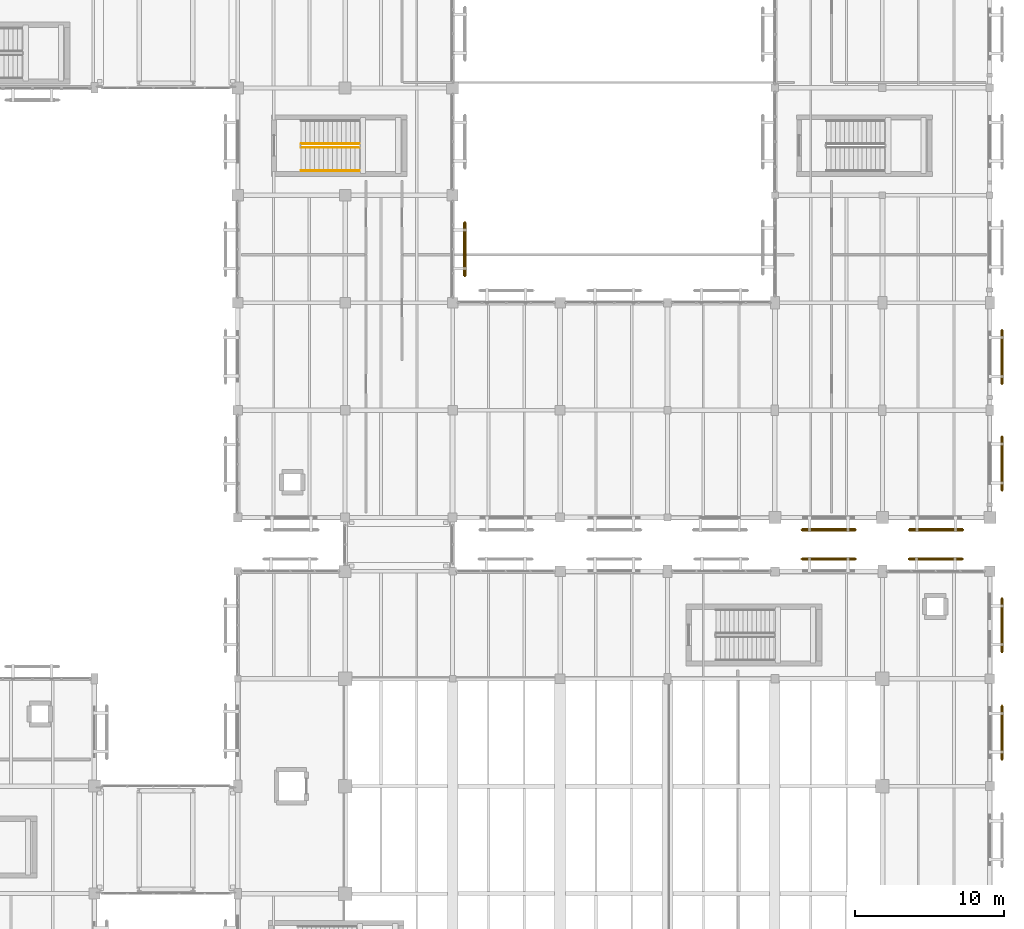
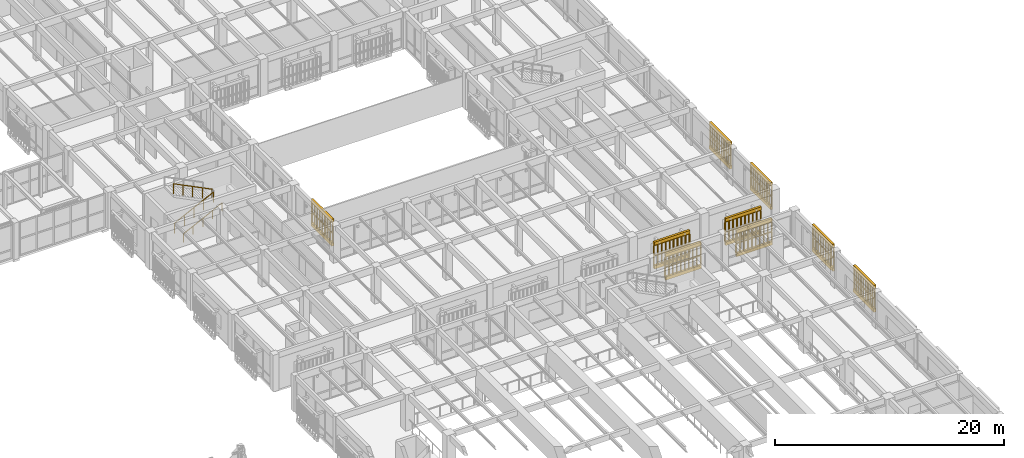
# One storey, part 166 of 170: 21 railings, 18 coverings.
"""IFC4 building model written with IfcOpenShell, lengths in metres."""

from ifc_helpers import new_model, si_unit, direction, frame, origin, origin_2d, place, context, subcontext, project, spatial, polyline, circle, outline, extrude, material, layer, layer_set, type_object, element, save


model = new_model("IFC4")

# Units and contexts
model_context = context("Model", 3, precision=1e-05, world=origin(), true_north=direction((0.0, 1.0)))
body_context = subcontext(model_context, "Body", "Model", "MODEL_VIEW")
ifc_project = project(units=[si_unit("LENGTHUNIT", "METRE"), si_unit("AREAUNIT", "SQUARE_METRE"), si_unit("VOLUMEUNIT", "CUBIC_METRE"), si_unit("PLANEANGLEUNIT", "RADIAN"), si_unit("MASSUNIT", "GRAM", prefix="KILO")], contexts=[model_context])

# Site, building, storey
site_placement = place(None, origin())
site = spatial("IfcSite", under=ifc_project, at=site_placement, CompositionType="ELEMENT")
building_placement = place(site_placement, origin())
building = spatial("IfcBuilding", under=site, at=building_placement, Name="Mazaris Harbour Polytechnic", CompositionType="ELEMENT")
storey_placement = place(building_placement, frame((0.0, 0.0, 5.39990234375)))
storey = spatial("IfcBuildingStorey", under=building, at=storey_placement, Name="L01", CompositionType="ELEMENT", Elevation=5.39990234375)

# Railings
ifc_material_1 = material(Name="Perforated Earth-Coloured Terracotta Block", Category="masonry")
railing_type_1 = type_object("IfcRailingType", Name="Perforated Earth-Block Claustra Lattice 1040", PredefinedType="BALUSTRADE", material=ifc_material_1)
for number, where, name in (
    (1, (160.199951171875, 44.02001953125, 0.52001953125), "V2 L01 Lower Perforated Terracotta Block Screen 56"),
    (2, (160.199951171875, 44.02001953125, 1.585205078125), "V2 L01 Upper Perforated Terracotta Block Screen 56"),
    (3, (167.375, 44.02001953125, 0.52001953125), "V2 L01 Lower Perforated Terracotta Block Screen 57"),
    (4, (167.375, 44.02001953125, 1.585205078125), "V2 L01 Upper Perforated Terracotta Block Screen 57"),
):
    element("IfcRailing", number, at=place(storey_placement, frame(where)), inside=storey, type_object=railing_type_1, Name=name, PredefinedType="BALUSTRADE", context=body_context, shape_type="SweptSolid", body=[
        extrude(circle(Radius=0.06982421875, at=origin_2d()), frame((0.0, 0.0, 0.9951171875), z_axis=(1.0, 0.0, 0.0), x_axis=(0.0, 1.0, 0.0)), (0.0, 0.0, 1.0), 3.60009765625),
        extrude(circle(Radius=0.074951171875, at=origin_2d()), origin(), (0.0, 0.0, 1.0), 0.925048828125),
        extrude(circle(Radius=0.074951171875, at=origin_2d()), frame((0.39990234375, 0.0, 0.0)), (0.0, 0.0, 1.0), 0.925048828125),
        extrude(circle(Radius=0.074951171875, at=origin_2d()), frame((0.800048828125, 0.0, 0.0)), (0.0, 0.0, 1.0), 0.925048828125),
        extrude(circle(Radius=0.074951171875, at=origin_2d()), frame((1.199951171875, 0.0, 0.0)), (0.0, 0.0, 1.0), 0.925048828125),
        extrude(circle(Radius=0.074951171875, at=origin_2d()), frame((1.60009765625, 0.0, 0.0)), (0.0, 0.0, 1.0), 0.925048828125),
        extrude(circle(Radius=0.074951171875, at=origin_2d()), frame((2.0, 0.0, 0.0)), (0.0, 0.0, 1.0), 0.925048828125),
        extrude(circle(Radius=0.074951171875, at=origin_2d()), frame((2.400146484375, 0.0, 0.0)), (0.0, 0.0, 1.0), 0.925048828125),
        extrude(circle(Radius=0.074951171875, at=origin_2d()), frame((2.800048828125, 0.0, 0.0)), (0.0, 0.0, 1.0), 0.925048828125),
        extrude(circle(Radius=0.074951171875, at=origin_2d()), frame((3.2001953125, 0.0, 0.0)), (0.0, 0.0, 1.0), 0.925048828125),
        extrude(circle(Radius=0.074951171875, at=origin_2d()), frame((3.60009765625, 0.0, 0.0)), (0.0, 0.0, 1.0), 0.925048828125),
    ])
for number, where, name in (
    (5, (173.6201171875, 34.1875, 0.52001953125), "V2 L01 Lower Perforated Terracotta Block Screen 65"),
    (6, (173.6201171875, 34.1875, 1.610107421875), "V2 L01 Upper Perforated Terracotta Block Screen 65"),
):
    element("IfcRailing", number, at=place(storey_placement, frame(where)), inside=storey, type_object=railing_type_1, Name=name, PredefinedType="BALUSTRADE", context=body_context, shape_type="SweptSolid", body=[
        extrude(circle(Radius=0.06982421875, at=origin_2d()), frame((0.0, 0.0, 1.02001953125), z_axis=(0.0, -1.0, 0.0), x_axis=(1.0, 0.0, 0.0)), (0.0, 0.0, 1.0), 3.60009765625),
        extrude(circle(Radius=0.074951171875, at=origin_2d()), origin(), (0.0, 0.0, 1.0), 0.9501953125),
        extrude(circle(Radius=0.074951171875, at=origin_2d()), frame((0.0, -0.39990234375, 0.0)), (0.0, 0.0, 1.0), 0.9501953125),
        extrude(circle(Radius=0.074951171875, at=origin_2d()), frame((0.0, -0.800048828125, 0.0)), (0.0, 0.0, 1.0), 0.9501953125),
        extrude(circle(Radius=0.074951171875, at=origin_2d()), frame((0.0, -1.199951171875, 0.0)), (0.0, 0.0, 1.0), 0.9501953125),
        extrude(circle(Radius=0.074951171875, at=origin_2d()), frame((0.0, -1.60009765625, 0.0)), (0.0, 0.0, 1.0), 0.9501953125),
        extrude(circle(Radius=0.074951171875, at=origin_2d()), frame((0.0, -2.0, 0.0)), (0.0, 0.0, 1.0), 0.9501953125),
        extrude(circle(Radius=0.074951171875, at=origin_2d()), frame((0.0, -2.400146484375, 0.0)), (0.0, 0.0, 1.0), 0.9501953125),
        extrude(circle(Radius=0.074951171875, at=origin_2d()), frame((0.0, -2.800048828125, 0.0)), (0.0, 0.0, 1.0), 0.9501953125),
        extrude(circle(Radius=0.074951171875, at=origin_2d()), frame((0.0, -3.2001953125, 0.0)), (0.0, 0.0, 1.0), 0.9501953125),
        extrude(circle(Radius=0.074951171875, at=origin_2d()), frame((0.0, -3.60009765625, 0.0)), (0.0, 0.0, 1.0), 0.9501953125),
    ])
for number, where, name in (
    (7, (173.6201171875, 41.387451171875, 0.52001953125), "V2 L01 Lower Perforated Terracotta Block Screen 66"),
    (8, (173.6201171875, 41.387451171875, 1.610107421875), "V2 L01 Upper Perforated Terracotta Block Screen 66"),
):
    element("IfcRailing", number, at=place(storey_placement, frame(where)), inside=storey, type_object=railing_type_1, Name=name, PredefinedType="BALUSTRADE", context=body_context, shape_type="SweptSolid", body=[
        extrude(circle(Radius=0.06982421875, at=origin_2d()), frame((0.0, 0.0, 1.02001953125), z_axis=(0.0, -1.0, 0.0), x_axis=(1.0, 0.0, 0.0)), (0.0, 0.0, 1.0), 3.599853515625),
        extrude(circle(Radius=0.074951171875, at=origin_2d()), origin(), (0.0, 0.0, 1.0), 0.9501953125),
        extrude(circle(Radius=0.074951171875, at=origin_2d()), frame((0.0, -0.449951171875, 0.0)), (0.0, 0.0, 1.0), 0.9501953125),
        extrude(circle(Radius=0.074951171875, at=origin_2d()), frame((0.0, -0.89990234375, 0.0)), (0.0, 0.0, 1.0), 0.9501953125),
        extrude(circle(Radius=0.074951171875, at=origin_2d()), frame((0.0, -1.349853515625, 0.0)), (0.0, 0.0, 1.0), 0.9501953125),
        extrude(circle(Radius=0.074951171875, at=origin_2d()), frame((0.0, -1.7998046875, 0.0)), (0.0, 0.0, 1.0), 0.9501953125),
        extrude(circle(Radius=0.074951171875, at=origin_2d()), frame((0.0, -2.25, 0.0)), (0.0, 0.0, 1.0), 0.9501953125),
        extrude(circle(Radius=0.074951171875, at=origin_2d()), frame((0.0, -2.699951171875, 0.0)), (0.0, 0.0, 1.0), 0.9501953125),
        extrude(circle(Radius=0.074951171875, at=origin_2d()), frame((0.0, -3.14990234375, 0.0)), (0.0, 0.0, 1.0), 0.9501953125),
        extrude(circle(Radius=0.074951171875, at=origin_2d()), frame((0.0, -3.599853515625, 0.0)), (0.0, 0.0, 1.0), 0.9501953125),
    ])
for number, where, name in (
    (9, (163.800048828125, 45.97998046875, 0.52001953125), "V5 L01 Lower Perforated Terracotta Block Screen 370"),
    (10, (163.800048828125, 45.97998046875, 1.610107421875), "V5 L01 Upper Perforated Terracotta Block Screen 370"),
    (11, (171.0, 45.97998046875, 0.52001953125), "V5 L01 Lower Perforated Terracotta Block Screen 371"),
    (12, (171.0, 45.97998046875, 1.610107421875), "V5 L01 Upper Perforated Terracotta Block Screen 371"),
):
    element("IfcRailing", number, at=place(storey_placement, frame(where)), inside=storey, type_object=railing_type_1, Name=name, PredefinedType="BALUSTRADE", context=body_context, shape_type="SweptSolid", body=[
        extrude(circle(Radius=0.06982421875, at=origin_2d()), frame((0.0, 0.0, 1.02001953125), z_axis=(-1.0, 0.0, 0.0), x_axis=(0.0, -1.0, 0.0)), (0.0, 0.0, 1.0), 3.60009765625),
        extrude(circle(Radius=0.074951171875, at=origin_2d()), origin(), (0.0, 0.0, 1.0), 0.9501953125),
        extrude(circle(Radius=0.074951171875, at=origin_2d()), frame((-0.39990234375, 0.0, 0.0)), (0.0, 0.0, 1.0), 0.9501953125),
        extrude(circle(Radius=0.074951171875, at=origin_2d()), frame((-0.800048828125, 0.0, 0.0)), (0.0, 0.0, 1.0), 0.9501953125),
        extrude(circle(Radius=0.074951171875, at=origin_2d()), frame((-1.199951171875, 0.0, 0.0)), (0.0, 0.0, 1.0), 0.9501953125),
        extrude(circle(Radius=0.074951171875, at=origin_2d()), frame((-1.60009765625, 0.0, 0.0)), (0.0, 0.0, 1.0), 0.9501953125),
        extrude(circle(Radius=0.074951171875, at=origin_2d()), frame((-2.0, 0.0, 0.0)), (0.0, 0.0, 1.0), 0.9501953125),
        extrude(circle(Radius=0.074951171875, at=origin_2d()), frame((-2.400146484375, 0.0, 0.0)), (0.0, 0.0, 1.0), 0.9501953125),
        extrude(circle(Radius=0.074951171875, at=origin_2d()), frame((-2.800048828125, 0.0, 0.0)), (0.0, 0.0, 1.0), 0.9501953125),
        extrude(circle(Radius=0.074951171875, at=origin_2d()), frame((-3.2001953125, 0.0, 0.0)), (0.0, 0.0, 1.0), 0.9501953125),
        extrude(circle(Radius=0.074951171875, at=origin_2d()), frame((-3.60009765625, 0.0, 0.0)), (0.0, 0.0, 1.0), 0.9501953125),
    ])
for number, where, name in (
    (13, (173.6201171875, 52.22509765625, 0.52001953125), "V5 L01 Lower Perforated Terracotta Block Screen 386"),
    (14, (173.6201171875, 52.22509765625, 1.610107421875), "V5 L01 Upper Perforated Terracotta Block Screen 386"),
    (15, (173.6201171875, 59.362548828125, 0.52001953125), "V5 L01 Lower Perforated Terracotta Block Screen 387"),
    (16, (173.6201171875, 59.362548828125, 1.610107421875), "V5 L01 Upper Perforated Terracotta Block Screen 387"),
):
    element("IfcRailing", number, at=place(storey_placement, frame(where)), inside=storey, type_object=railing_type_1, Name=name, PredefinedType="BALUSTRADE", context=body_context, shape_type="SweptSolid", body=[
        extrude(circle(Radius=0.06982421875, at=origin_2d()), frame((0.0, 0.0, 1.02001953125), z_axis=(0.0, -1.0, 0.0), x_axis=(1.0, 0.0, 0.0)), (0.0, 0.0, 1.0), 3.60009765625),
        extrude(circle(Radius=0.074951171875, at=origin_2d()), origin(), (0.0, 0.0, 1.0), 0.9501953125),
        extrude(circle(Radius=0.074951171875, at=origin_2d()), frame((0.0, -0.39990234375, 0.0)), (0.0, 0.0, 1.0), 0.9501953125),
        extrude(circle(Radius=0.074951171875, at=origin_2d()), frame((0.0, -0.800048828125, 0.0)), (0.0, 0.0, 1.0), 0.9501953125),
        extrude(circle(Radius=0.074951171875, at=origin_2d()), frame((0.0, -1.199951171875, 0.0)), (0.0, 0.0, 1.0), 0.9501953125),
        extrude(circle(Radius=0.074951171875, at=origin_2d()), frame((0.0, -1.60009765625, 0.0)), (0.0, 0.0, 1.0), 0.9501953125),
        extrude(circle(Radius=0.074951171875, at=origin_2d()), frame((0.0, -2.0, 0.0)), (0.0, 0.0, 1.0), 0.9501953125),
        extrude(circle(Radius=0.074951171875, at=origin_2d()), frame((0.0, -2.400146484375, 0.0)), (0.0, 0.0, 1.0), 0.9501953125),
        extrude(circle(Radius=0.074951171875, at=origin_2d()), frame((0.0, -2.800048828125, 0.0)), (0.0, 0.0, 1.0), 0.9501953125),
        extrude(circle(Radius=0.074951171875, at=origin_2d()), frame((0.0, -3.2001953125, 0.0)), (0.0, 0.0, 1.0), 0.9501953125),
        extrude(circle(Radius=0.074951171875, at=origin_2d()), frame((0.0, -3.60009765625, 0.0)), (0.0, 0.0, 1.0), 0.9501953125),
    ])
for number, where, name in (
    (17, (137.6201171875, 62.987548828125, 0.52001953125), "V5 L01 Lower Perforated Terracotta Block Screen 400"),
    (18, (137.6201171875, 62.987548828125, 1.610107421875), "V5 L01 Upper Perforated Terracotta Block Screen 400"),
):
    element("IfcRailing", number, at=place(storey_placement, frame(where)), inside=storey, type_object=railing_type_1, Name=name, PredefinedType="BALUSTRADE", context=body_context, shape_type="SweptSolid", body=[
        extrude(circle(Radius=0.06982421875, at=origin_2d()), frame((0.0, 0.0, 1.02001953125), z_axis=(0.0, 1.0, 0.0), x_axis=(-1.0, 0.0, 0.0)), (0.0, 0.0, 1.0), 3.599853515625),
        extrude(circle(Radius=0.074951171875, at=origin_2d()), origin(), (0.0, 0.0, 1.0), 0.9501953125),
        extrude(circle(Radius=0.074951171875, at=origin_2d()), frame((0.0, 0.449951171875, 0.0)), (0.0, 0.0, 1.0), 0.9501953125),
        extrude(circle(Radius=0.074951171875, at=origin_2d()), frame((0.0, 0.89990234375, 0.0)), (0.0, 0.0, 1.0), 0.9501953125),
        extrude(circle(Radius=0.074951171875, at=origin_2d()), frame((0.0, 1.349853515625, 0.0)), (0.0, 0.0, 1.0), 0.9501953125),
        extrude(circle(Radius=0.074951171875, at=origin_2d()), frame((0.0, 1.7998046875, 0.0)), (0.0, 0.0, 1.0), 0.9501953125),
        extrude(circle(Radius=0.074951171875, at=origin_2d()), frame((0.0, 2.25, 0.0)), (0.0, 0.0, 1.0), 0.9501953125),
        extrude(circle(Radius=0.074951171875, at=origin_2d()), frame((0.0, 2.699951171875, 0.0)), (0.0, 0.0, 1.0), 0.9501953125),
        extrude(circle(Radius=0.074951171875, at=origin_2d()), frame((0.0, 3.14990234375, 0.0)), (0.0, 0.0, 1.0), 0.9501953125),
        extrude(circle(Radius=0.074951171875, at=origin_2d()), frame((0.0, 3.599853515625, 0.0)), (0.0, 0.0, 1.0), 0.9501953125),
    ])
ifc_material_2 = material(Name="Stainless Steel S355", Category="steel")
railing_type_2 = type_object("IfcRailingType", Name="Stair Wall Handrail 900", PredefinedType="HANDRAIL", material=ifc_material_2)
railing_1_placement = place(storey_placement, frame((126.64990234375, 70.050048828125, 0.150146484375)))
element("IfcRailing", 19, at=railing_1_placement, inside=storey, type_object=railing_type_2, Name="L01 ST09 stair handrail 1", PredefinedType="HANDRAIL", context=body_context, shape_type="SweptSolid", body=[
    extrude(circle(Radius=0.02392578125, at=origin_2d()), frame((0.0, 0.0, 0.8759765625), z_axis=(0.894438388696, 0.0, 0.447191199406), x_axis=(0.0, 1.0, 0.0)), (0.0, 0.0, 1.0), 4.3603515625),
    extrude(circle(Radius=0.02099609375, at=origin_2d()), origin(), (0.0, 0.0, 1.0), 0.851806640625),
    extrude(circle(Radius=0.02099609375, at=origin_2d()), frame((0.97509765625, 0.0, 0.487548828125)), (0.0, 0.0, 1.0), 0.851806640625),
    extrude(circle(Radius=0.02099609375, at=origin_2d()), frame((1.9501953125, 0.0, 0.97509765625)), (0.0, 0.0, 1.0), 0.851806640625),
    extrude(circle(Radius=0.02099609375, at=origin_2d()), frame((2.925048828125, 0.0, 1.46240234375)), (0.0, 0.0, 1.0), 0.851806640625),
    extrude(circle(Radius=0.02099609375, at=origin_2d()), frame((3.900146484375, 0.0, 1.949951171875)), (0.0, 0.0, 1.0), 0.851806640625),
])
ifc_material_3 = material(Name="Steel S355", Category="steel")
railing_type_3 = type_object("IfcRailingType", Name="Stair Well Guardrail 1100", PredefinedType="GUARDRAIL", material=ifc_material_3)
railing_2_placement = place(storey_placement, frame((126.64990234375, 71.60009765625, 0.150146484375)))
element("IfcRailing", 20, at=railing_2_placement, inside=storey, type_object=railing_type_3, Name="L01 ST09 stair guard 1", PredefinedType="GUARDRAIL", context=body_context, shape_type="SweptSolid", body=[
    extrude(circle(Radius=0.02392578125, at=origin_2d()), frame((0.0, 0.0, 1.076171875), z_axis=(0.894438388696, 0.0, 0.447191199406), x_axis=(0.0, 1.0, 0.0)), (0.0, 0.0, 1.0), 4.3603515625),
    extrude(circle(Radius=0.02099609375, at=origin_2d()), origin(), (0.0, 0.0, 1.0), 1.052001953125),
    extrude(circle(Radius=0.02099609375, at=origin_2d()), frame((0.97509765625, 0.0, 0.487548828125)), (0.0, 0.0, 1.0), 1.052001953125),
    extrude(circle(Radius=0.02099609375, at=origin_2d()), frame((1.9501953125, 0.0, 0.97509765625)), (0.0, 0.0, 1.0), 1.052001953125),
    extrude(circle(Radius=0.02099609375, at=origin_2d()), frame((2.925048828125, 0.0, 1.46240234375)), (0.0, 0.0, 1.0), 1.052001953125),
    extrude(circle(Radius=0.02099609375, at=origin_2d()), frame((3.900146484375, 0.0, 1.949951171875)), (0.0, 0.0, 1.0), 1.052001953125),
])
railing_3_placement = place(storey_placement, frame((130.550048828125, 71.85009765625, 2.25)))
element("IfcRailing", 21, at=railing_3_placement, inside=storey, type_object=railing_type_3, Name="L01 ST09 stair guard 3", PredefinedType="GUARDRAIL", context=body_context, shape_type="SweptSolid", body=[
    extrude(circle(Radius=0.02392578125, at=origin_2d()), frame((0.0, 0.0, 1.076171875), z_axis=(-0.894415993023, 0.0, 0.447235990752), x_axis=(0.0, -1.0, 0.0)), (0.0, 0.0, 1.0), 4.360595703125),
    extrude(circle(Radius=0.02099609375, at=origin_2d()), origin(), (0.0, 0.0, 1.0), 1.052001953125),
    extrude(circle(Radius=0.02099609375, at=origin_2d()), frame((-0.97509765625, 0.0, 0.487548828125)), (0.0, 0.0, 1.0), 1.052001953125),
    extrude(circle(Radius=0.02099609375, at=origin_2d()), frame((-1.9501953125, 0.0, 0.97509765625)), (0.0, 0.0, 1.0), 1.052001953125),
    extrude(circle(Radius=0.02099609375, at=origin_2d()), frame((-2.925048828125, 0.0, 1.462646484375)), (0.0, 0.0, 1.0), 1.052001953125),
    extrude(circle(Radius=0.02099609375, at=origin_2d()), frame((-3.900146484375, 0.0, 1.9501953125)), (0.0, 0.0, 1.0), 1.052001953125),
])

# Coverings
ifc_material_4 = material(Name="Perforated Earth-Coloured Terracotta Block", Category="masonry")
ifc_layer = layer(ifc_material_4, 0.219970703125, Name="Perforated Earth-Coloured Terracotta Block")
ifc_layer_set = layer_set([ifc_layer], Name="Perforated Earth-Coloured Terracotta Block")
covering_type = type_object("IfcCoveringType", Name="Terracotta Screen Course Cladding 220", PredefinedType="CLADDING", material=ifc_layer_set)
covering_1_placement = place(storey_placement, frame((0.0, 0.0, 0.16015625)))
element("IfcCovering", 22, at=covering_1_placement, inside=storey, type_object=covering_type, Name="V2 L01 Perforated Screen Sill Course 56", PredefinedType="CLADDING", context=body_context, shape_type="SweptSolid", body=[
    extrude(outline(polyline([(160.199951171875, 43.909912109375), (163.800048828125, 43.909912109375), (163.800048828125, 44.1298828125), (160.199951171875, 44.1298828125), (160.199951171875, 43.909912109375)])), origin(), (0.0, 0.0, 1.0), 0.35986328125),
])
covering_2_placement = place(storey_placement, frame((0.0, 0.0, 2.650146484375)))
element("IfcCovering", 23, at=covering_2_placement, inside=storey, type_object=covering_type, Name="V2 L01 Perforated Screen Lintel Course 56", PredefinedType="CLADDING", context=body_context, shape_type="SweptSolid", body=[
    extrude(outline(polyline([(160.199951171875, 43.909912109375), (163.800048828125, 43.909912109375), (163.800048828125, 44.1298828125), (160.199951171875, 44.1298828125), (160.199951171875, 43.909912109375)])), origin(), (0.0, 0.0, 1.0), 0.33984375),
])
covering_3_placement = place(storey_placement, frame((0.0, 0.0, 0.16015625)))
element("IfcCovering", 24, at=covering_3_placement, inside=storey, type_object=covering_type, Name="V2 L01 Perforated Screen Sill Course 57", PredefinedType="CLADDING", context=body_context, shape_type="SweptSolid", body=[
    extrude(outline(polyline([(167.375, 43.909912109375), (170.97509765625, 43.909912109375), (170.97509765625, 44.1298828125), (167.375, 44.1298828125), (167.375, 43.909912109375)])), origin(), (0.0, 0.0, 1.0), 0.35986328125),
])
covering_4_placement = place(storey_placement, frame((0.0, 0.0, 2.650146484375)))
element("IfcCovering", 25, at=covering_4_placement, inside=storey, type_object=covering_type, Name="V2 L01 Perforated Screen Lintel Course 57", PredefinedType="CLADDING", context=body_context, shape_type="SweptSolid", body=[
    extrude(outline(polyline([(167.375, 43.909912109375), (170.97509765625, 43.909912109375), (170.97509765625, 44.1298828125), (167.375, 44.1298828125), (167.375, 43.909912109375)])), origin(), (0.0, 0.0, 1.0), 0.33984375),
])
covering_5_placement = place(storey_placement, frame((0.0, 0.0, 0.16015625)))
element("IfcCovering", 26, at=covering_5_placement, inside=storey, type_object=covering_type, Name="V2 L01 Perforated Screen Sill Course 65", PredefinedType="CLADDING", context=body_context, shape_type="SweptSolid", body=[
    extrude(outline(polyline([(173.510009765625, 34.1875), (173.510009765625, 30.58740234375), (173.72998046875, 30.58740234375), (173.72998046875, 34.1875), (173.510009765625, 34.1875)])), origin(), (0.0, 0.0, 1.0), 0.35986328125),
])
covering_6_placement = place(storey_placement, frame((0.0, 0.0, 2.7001953125)))
element("IfcCovering", 27, at=covering_6_placement, inside=storey, type_object=covering_type, Name="V2 L01 Perforated Screen Lintel Course 65", PredefinedType="CLADDING", context=body_context, shape_type="SweptSolid", body=[
    extrude(outline(polyline([(173.510009765625, 34.1875), (173.510009765625, 30.58740234375), (173.72998046875, 30.58740234375), (173.72998046875, 34.1875), (173.510009765625, 34.1875)])), origin(), (0.0, 0.0, 1.0), 0.33984375),
])
covering_7_placement = place(storey_placement, frame((0.0, 0.0, 0.16015625)))
element("IfcCovering", 28, at=covering_7_placement, inside=storey, type_object=covering_type, Name="V2 L01 Perforated Screen Sill Course 66", PredefinedType="CLADDING", context=body_context, shape_type="SweptSolid", body=[
    extrude(outline(polyline([(173.510009765625, 41.387451171875), (173.510009765625, 37.78759765625), (173.72998046875, 37.78759765625), (173.72998046875, 41.387451171875), (173.510009765625, 41.387451171875)])), origin(), (0.0, 0.0, 1.0), 0.35986328125),
])
covering_8_placement = place(storey_placement, frame((0.0, 0.0, 2.7001953125)))
element("IfcCovering", 29, at=covering_8_placement, inside=storey, type_object=covering_type, Name="V2 L01 Perforated Screen Lintel Course 66", PredefinedType="CLADDING", context=body_context, shape_type="SweptSolid", body=[
    extrude(outline(polyline([(173.510009765625, 41.387451171875), (173.510009765625, 37.78759765625), (173.72998046875, 37.78759765625), (173.72998046875, 41.387451171875), (173.510009765625, 41.387451171875)])), origin(), (0.0, 0.0, 1.0), 0.33984375),
])
covering_9_placement = place(storey_placement, frame((0.0, 0.0, 0.16015625)))
element("IfcCovering", 30, at=covering_9_placement, inside=storey, type_object=covering_type, Name="V5 L01 Perforated Screen Sill Course 370", PredefinedType="CLADDING", context=body_context, shape_type="SweptSolid", body=[
    extrude(outline(polyline([(163.800048828125, 46.090087890625), (160.199951171875, 46.090087890625), (160.199951171875, 45.8701171875), (163.800048828125, 45.8701171875), (163.800048828125, 46.090087890625)])), origin(), (0.0, 0.0, 1.0), 0.35986328125),
])
covering_10_placement = place(storey_placement, frame((0.0, 0.0, 2.7001953125)))
element("IfcCovering", 31, at=covering_10_placement, inside=storey, type_object=covering_type, Name="V5 L01 Perforated Screen Lintel Course 370", PredefinedType="CLADDING", context=body_context, shape_type="SweptSolid", body=[
    extrude(outline(polyline([(163.800048828125, 46.090087890625), (160.199951171875, 46.090087890625), (160.199951171875, 45.8701171875), (163.800048828125, 45.8701171875), (163.800048828125, 46.090087890625)])), origin(), (0.0, 0.0, 1.0), 0.33984375),
])
covering_11_placement = place(storey_placement, frame((0.0, 0.0, 0.16015625)))
element("IfcCovering", 32, at=covering_11_placement, inside=storey, type_object=covering_type, Name="V5 L01 Perforated Screen Sill Course 371", PredefinedType="CLADDING", context=body_context, shape_type="SweptSolid", body=[
    extrude(outline(polyline([(171.0, 46.090087890625), (167.39990234375, 46.090087890625), (167.39990234375, 45.8701171875), (171.0, 45.8701171875), (171.0, 46.090087890625)])), origin(), (0.0, 0.0, 1.0), 0.35986328125),
])
covering_12_placement = place(storey_placement, frame((0.0, 0.0, 2.7001953125)))
element("IfcCovering", 33, at=covering_12_placement, inside=storey, type_object=covering_type, Name="V5 L01 Perforated Screen Lintel Course 371", PredefinedType="CLADDING", context=body_context, shape_type="SweptSolid", body=[
    extrude(outline(polyline([(171.0, 46.090087890625), (167.39990234375, 46.090087890625), (167.39990234375, 45.8701171875), (171.0, 45.8701171875), (171.0, 46.090087890625)])), origin(), (0.0, 0.0, 1.0), 0.33984375),
])
covering_13_placement = place(storey_placement, frame((0.0, 0.0, 0.16015625)))
element("IfcCovering", 34, at=covering_13_placement, inside=storey, type_object=covering_type, Name="V5 L01 Perforated Screen Sill Course 386", PredefinedType="CLADDING", context=body_context, shape_type="SweptSolid", body=[
    extrude(outline(polyline([(173.510009765625, 52.22509765625), (173.510009765625, 48.625), (173.72998046875, 48.625), (173.72998046875, 52.22509765625), (173.510009765625, 52.22509765625)])), origin(), (0.0, 0.0, 1.0), 0.35986328125),
])
covering_14_placement = place(storey_placement, frame((0.0, 0.0, 2.7001953125)))
element("IfcCovering", 35, at=covering_14_placement, inside=storey, type_object=covering_type, Name="V5 L01 Perforated Screen Lintel Course 386", PredefinedType="CLADDING", context=body_context, shape_type="SweptSolid", body=[
    extrude(outline(polyline([(173.510009765625, 52.22509765625), (173.510009765625, 48.625), (173.72998046875, 48.625), (173.72998046875, 52.22509765625), (173.510009765625, 52.22509765625)])), origin(), (0.0, 0.0, 1.0), 0.33984375),
])
covering_15_placement = place(storey_placement, frame((0.0, 0.0, 0.16015625)))
element("IfcCovering", 36, at=covering_15_placement, inside=storey, type_object=covering_type, Name="V5 L01 Perforated Screen Sill Course 387", PredefinedType="CLADDING", context=body_context, shape_type="SweptSolid", body=[
    extrude(outline(polyline([(173.510009765625, 59.362548828125), (173.510009765625, 55.762451171875), (173.72998046875, 55.762451171875), (173.72998046875, 59.362548828125), (173.510009765625, 59.362548828125)])), origin(), (0.0, 0.0, 1.0), 0.35986328125),
])
covering_16_placement = place(storey_placement, frame((0.0, 0.0, 2.7001953125)))
element("IfcCovering", 37, at=covering_16_placement, inside=storey, type_object=covering_type, Name="V5 L01 Perforated Screen Lintel Course 387", PredefinedType="CLADDING", context=body_context, shape_type="SweptSolid", body=[
    extrude(outline(polyline([(173.510009765625, 59.362548828125), (173.510009765625, 55.762451171875), (173.72998046875, 55.762451171875), (173.72998046875, 59.362548828125), (173.510009765625, 59.362548828125)])), origin(), (0.0, 0.0, 1.0), 0.33984375),
])
covering_17_placement = place(storey_placement, frame((0.0, 0.0, 0.16015625)))
element("IfcCovering", 38, at=covering_17_placement, inside=storey, type_object=covering_type, Name="V5 L01 Perforated Screen Sill Course 400", PredefinedType="CLADDING", context=body_context, shape_type="SweptSolid", body=[
    extrude(outline(polyline([(137.510009765625, 62.987548828125), (137.510009765625, 66.58740234375), (137.72998046875, 66.58740234375), (137.72998046875, 62.987548828125), (137.510009765625, 62.987548828125)])), origin(), (0.0, 0.0, 1.0), 0.35986328125),
])
covering_18_placement = place(storey_placement, frame((0.0, 0.0, 2.7001953125)))
element("IfcCovering", 39, at=covering_18_placement, inside=storey, type_object=covering_type, Name="V5 L01 Perforated Screen Lintel Course 400", PredefinedType="CLADDING", context=body_context, shape_type="SweptSolid", body=[
    extrude(outline(polyline([(137.510009765625, 62.987548828125), (137.510009765625, 66.58740234375), (137.72998046875, 66.58740234375), (137.72998046875, 62.987548828125), (137.510009765625, 62.987548828125)])), origin(), (0.0, 0.0, 1.0), 0.33984375),
])

save(model, "model.ifc")
